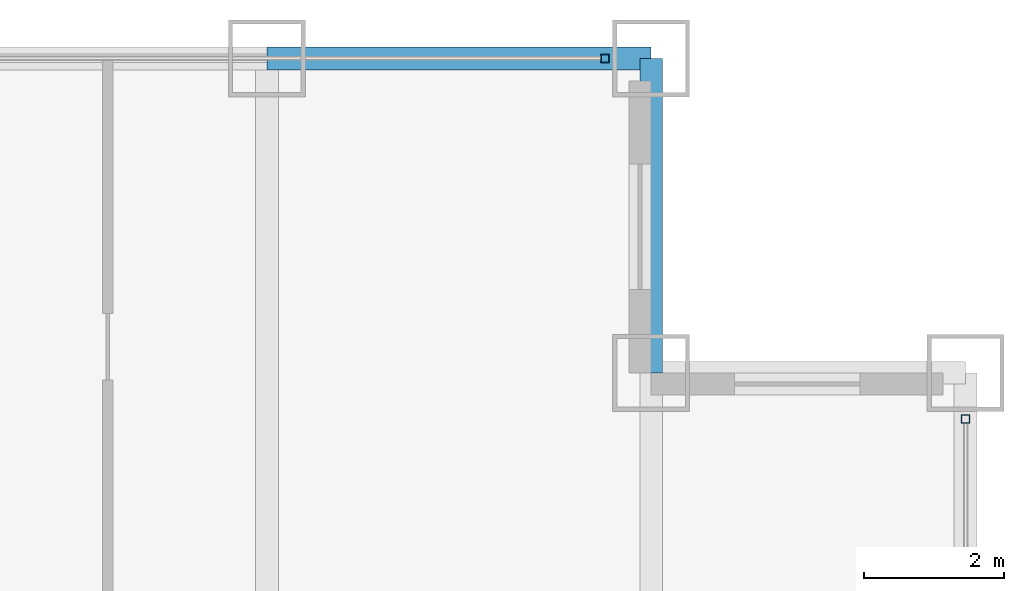
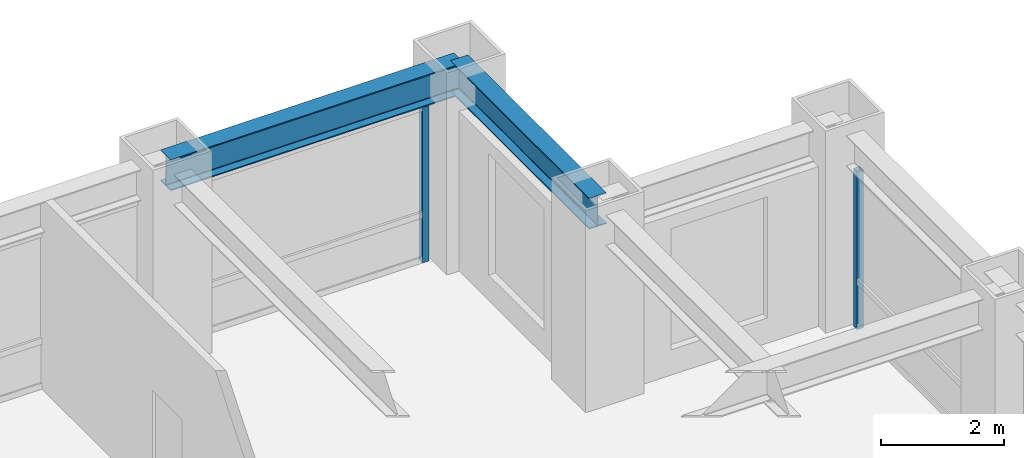
# One storey, part 18 of 25: 2 beams, 2 members, 2 elements without a shape of their own.
"""IFC4 building model written with IfcOpenShell, lengths in metres."""

from ifc_helpers import new_model, si_unit, direction, frame, origin, origin_2d, place, context, subcontext, project, spatial, hollow_rectangle, i_section, extrude, source, transform, mapped, material, material_profile, profile_set, type_object, element, aggregate, save


model = new_model("IFC4")

# Units and contexts
model_context = context("Model", 3, precision=1e-05, world=origin(), true_north=direction((0.0, 1.0)))
body_context = subcontext(model_context, "Body", "Model", "MODEL_VIEW")
ifc_project = project(units=[si_unit("LENGTHUNIT", "METRE"), si_unit("AREAUNIT", "SQUARE_METRE"), si_unit("VOLUMEUNIT", "CUBIC_METRE"), si_unit("PLANEANGLEUNIT", "RADIAN"), si_unit("MASSUNIT", "GRAM", prefix="KILO")], contexts=[model_context])

# Site, building, storey
site_placement = place(None, origin())
site = spatial("IfcSite", under=ifc_project, at=site_placement, CompositionType="ELEMENT")
building_placement = place(site_placement, origin())
building = spatial("IfcBuilding", under=site, at=building_placement, Name="Khorayat Bourse Tower", CompositionType="ELEMENT")
storey_placement = place(building_placement, frame((0.0, 0.0, 195.10009765625)))
storey = spatial("IfcBuildingStorey", under=building, at=storey_placement, Name="L45", CompositionType="ELEMENT", Elevation=195.10009765625)

# Beams
ifc_material_1 = material(Name="Steel ASTM A992 Grade 50", Category="steel")
ifc_material_profile_1 = material_profile(ifc_material_1, i_section(OverallWidth=0.324951171875, OverallDepth=0.615966796875, WebThickness=0.013916015625, FlangeThickness=0.021484375, FilletRadius=0.01611328125, at=origin_2d()), Name="W610X174")
ifc_profile_set_1 = profile_set([ifc_material_profile_1], Name="Steel ASTM A992 Grade 50")
beam_type = type_object("IfcBeamType", Name="BM-SPAN-610", PredefinedType="SPANDREL", material=ifc_profile_set_1)
shared_shape_1 = source(origin(), body_context, "Body", "SweptSolid", [
    extrude(i_section(OverallWidth=0.324951171875, OverallDepth=0.615966796875, WebThickness=0.013916015625, FlangeThickness=0.021484375, FilletRadius=0.01611328125, at=origin_2d()), origin(), (0.0, 0.0, 1.0), 5.5),
])
beam_1_placement = place(storey_placement, frame((20.0, 30.0, 3.471923828125), z_axis=(1.0, 0.0, 0.0), x_axis=(0.0, 1.0, 0.0)))
element("IfcBeam", 1, at=beam_1_placement, inside=storey, type_object=beam_type, Name="L45 BM-SPAN-610 BM-L45-SPN-044", PredefinedType="SPANDREL", context=body_context, shape_type="MappedRepresentation", body=[
    mapped(shared_shape_1, transform((0.0, 0.0, 0.0), scale=1.0)),
])
shared_shape_2 = source(origin(), body_context, "Body", "SweptSolid", [
    extrude(i_section(OverallWidth=0.324951171875, OverallDepth=0.615966796875, WebThickness=0.013916015625, FlangeThickness=0.021484375, FilletRadius=0.01611328125, at=origin_2d()), origin(), (0.0, 0.0, 1.0), 4.5),
])
beam_2_placement = place(storey_placement, frame((25.5, 25.5, 3.471923828125), z_axis=(0.0, 1.0, 0.0), x_axis=(-1.0, 0.0, 0.0)))
element("IfcBeam", 2, at=beam_2_placement, inside=storey, type_object=beam_type, Name="L45 BM-SPAN-610 BM-L45-SPN-043", PredefinedType="SPANDREL", context=body_context, shape_type="MappedRepresentation", body=[
    mapped(shared_shape_2, transform((0.0, 0.0, 0.0), scale=1.0)),
])

# Curtain wall, member
ifc_material_2 = material(Name="Aluminium EN AW-6063 T6", Category="aluminium")
curtain_wall_type = type_object("IfcCurtainWallType", Name="CW-SYS-03", PredefinedType="NOTDEFINED", material=ifc_material_2)
curtain_wall_1_placement = place(storey_placement, origin())
curtain_wall_1 = element("IfcCurtainWall", 3, at=curtain_wall_1_placement, inside=storey, type_object=curtain_wall_type, Name="L45 Curtain Wall CW-L45-N1", PredefinedType="NOTDEFINED")
ifc_material_profile_2 = material_profile(ifc_material_2, hollow_rectangle(XDim=0.1201171875, YDim=0.1201171875, WallThickness=0.0048828125, at=origin_2d()), Name="ALU 120x120x5")
ifc_profile_set_2 = profile_set([ifc_material_profile_2], Name="Aluminium EN AW-6063 T6")
member_type = type_object("IfcMemberType", Name="CWM-VERT-120", PredefinedType="MULLION", material=ifc_profile_set_2)
shared_shape_3 = source(origin(), body_context, "Body", "SweptSolid", [
    extrude(hollow_rectangle(XDim=0.1201171875, YDim=0.1201171875, WallThickness=0.0048828125, at=origin_2d()), origin(), (0.0, 0.0, 1.0), 3.1298828125),
])
member_1_placement = place(storey_placement, frame((24.840087890625, 30.0, 0.0), z_axis=(0.0, 0.0, 1.0), x_axis=(0.0, 1.0, 0.0)))
member_1 = element("IfcMember", 4, at=member_1_placement, type_object=member_type, Name="CW-L45-N1 Vertical Mullion 3", PredefinedType="MULLION", context=body_context, shape_type="MappedRepresentation", body=[
    mapped(shared_shape_3, transform((0.0, 0.0, 0.0), scale=1.0)),
])
aggregate(curtain_wall_1, [member_1])

curtain_wall_2_placement = place(storey_placement, origin())
curtain_wall_2 = element("IfcCurtainWall", 5, at=curtain_wall_2_placement, inside=storey, type_object=curtain_wall_type, Name="L45 Curtain Wall CW-L45-E1", PredefinedType="NOTDEFINED")
member_2_placement = place(storey_placement, frame((30.0, 24.840087890625, 0.0), z_axis=(0.0, 0.0, 1.0), x_axis=(-1.0, 0.0, 0.0)))
member_2 = element("IfcMember", 6, at=member_2_placement, type_object=member_type, Name="CW-L45-E1 Vertical Mullion 3", PredefinedType="MULLION", context=body_context, shape_type="MappedRepresentation", body=[
    mapped(shared_shape_3, transform((0.0, 0.0, 0.0), scale=1.0)),
])
aggregate(curtain_wall_2, [member_2])

save(model, "model.ifc")
